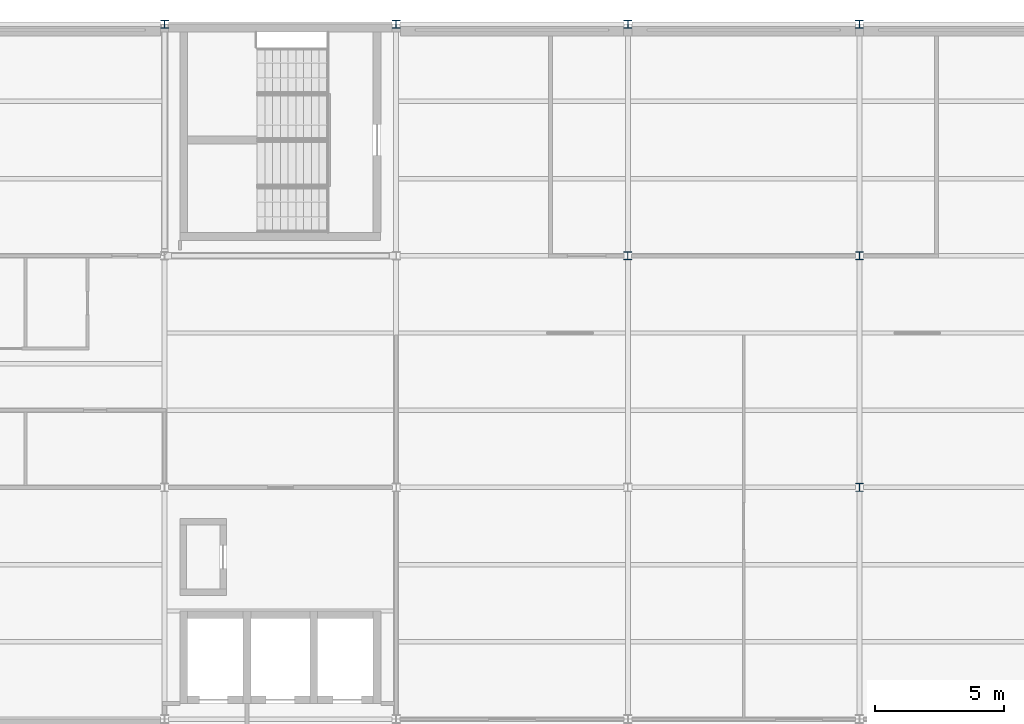
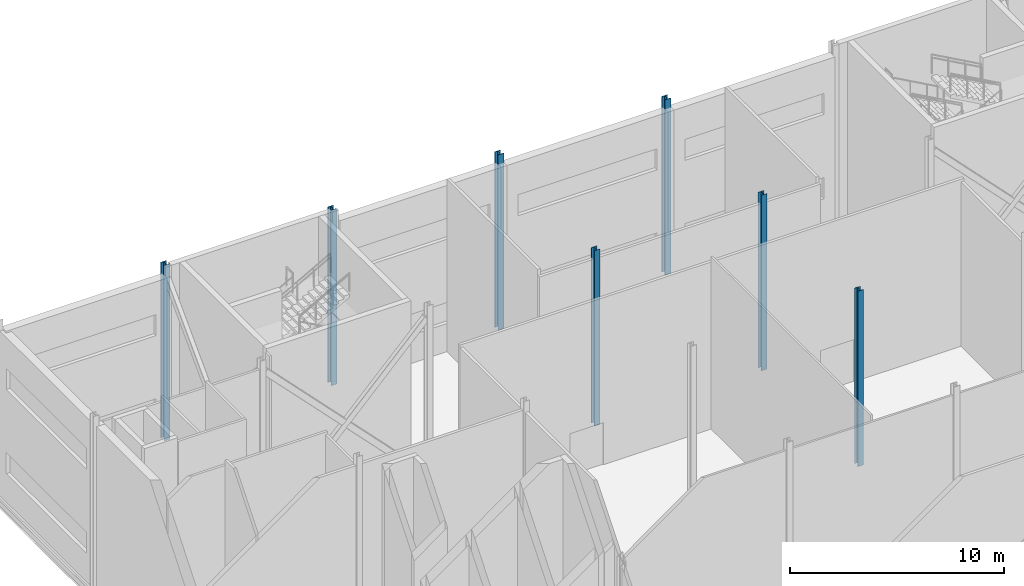
# One storey, part 7 of 111: 7 columns.
"""IFC4 building model written with IfcOpenShell, lengths in metres."""

from ifc_helpers import new_model, si_unit, direction, frame, origin, origin_2d, place, context, subcontext, project, spatial, i_section, extrude, material, material_profile, profile_set, type_object, element, save


model = new_model("IFC4")

# Units and contexts
model_context = context("Model", 3, precision=1e-05, world=origin(), true_north=direction((0.0, 1.0)))
body_context = subcontext(model_context, "Body", "Model", "MODEL_VIEW")
ifc_project = project(units=[si_unit("LENGTHUNIT", "METRE"), si_unit("AREAUNIT", "SQUARE_METRE"), si_unit("VOLUMEUNIT", "CUBIC_METRE"), si_unit("PLANEANGLEUNIT", "RADIAN"), si_unit("MASSUNIT", "GRAM", prefix="KILO")], contexts=[model_context])

# Site, building, storey
site_placement = place(None, origin())
site = spatial("IfcSite", under=ifc_project, at=site_placement, CompositionType="ELEMENT")
building_placement = place(site_placement, origin())
building = spatial("IfcBuilding", under=site, at=building_placement, Name="Shorebreak Coast Museum", CompositionType="ELEMENT")
storey_placement = place(building_placement, frame((0.0, 0.0, 16.0)))
storey = spatial("IfcBuildingStorey", under=building, at=storey_placement, Name="L03", CompositionType="ELEMENT", Elevation=16.0)

# Columns
ifc_material_1 = material(Name="Steel Grade 300", Category="steel")
ifc_material_profile_1 = material_profile(ifc_material_1, i_section(OverallWidth=0.31103515625, OverallDepth=0.3271484375, WebThickness=0.015625, FlangeThickness=0.02490234375, FilletRadius=0.0166015625, at=origin_2d()), Name="310UC158")
ifc_profile_set_1 = profile_set([ifc_material_profile_1], Name="Steel Grade 300")
column_type_1 = type_object("IfcColumnType", Name="Column 310UC158", PredefinedType="COLUMN", material=ifc_profile_set_1)
for number, where, z_axis, x_axis, name in (
    (1, (63.0, 117.0, 0.0), (0.0, 0.0, 1.0), (1.0, 0.0, 0.0), "Column L03 8P"),
    (2, (72.0, 117.0, 0.0), (0.0, 0.0, 1.0), (1.0, 0.0, 0.0), "Column L03 9P"),
    (3, (81.0, 117.0, 0.0), (0.0, 0.0, 1.0), (1.0, 0.0, 0.0), "Column L03 10P"),
    (4, (90.0, 117.0, 0.0), (0.0, 0.0, 1.0), (1.0, 0.0, 0.0), "Column L03 11P"),
):
    element("IfcColumn", number, at=place(storey_placement, frame(where, z_axis=z_axis, x_axis=x_axis)), inside=storey, type_object=column_type_1, Name=name, PredefinedType="COLUMN", context=body_context, shape_type="SweptSolid", body=[
        extrude(i_section(OverallWidth=0.31103515625, OverallDepth=0.3271484375, WebThickness=0.015625, FlangeThickness=0.02490234375, FilletRadius=0.0166015625, at=origin_2d()), origin(), (0.0, 0.0, 1.0), 10.0),
    ])
ifc_material_2 = material(Name="Steel Grade 300", Category="steel")
ifc_material_profile_2 = material_profile(ifc_material_2, i_section(OverallWidth=0.304931640625, OverallDepth=0.30810546875, WebThickness=0.010009765625, FlangeThickness=0.015380859375, FilletRadius=0.0166015625, at=origin_2d()), Name="310UC96.8")
ifc_profile_set_2 = profile_set([ifc_material_profile_2], Name="Steel Grade 300")
column_type_2 = type_object("IfcColumnType", Name="Column 310UC96.8", PredefinedType="COLUMN", material=ifc_profile_set_2)
for number, where, z_axis, x_axis, name in (
    (5, (90.0, 99.0, 0.0), (0.0, 0.0, 1.0), (1.0, 0.0, 0.0), "Column L03 11M"),
    (6, (81.0, 108.0, 0.0), (0.0, 0.0, 1.0), (1.0, 0.0, 0.0), "Column L03 10N"),
    (7, (90.0, 108.0, 0.0), (0.0, 0.0, 1.0), (1.0, 0.0, 0.0), "Column L03 11N"),
):
    element("IfcColumn", number, at=place(storey_placement, frame(where, z_axis=z_axis, x_axis=x_axis)), inside=storey, type_object=column_type_2, Name=name, PredefinedType="COLUMN", context=body_context, shape_type="SweptSolid", body=[
        extrude(i_section(OverallWidth=0.304931640625, OverallDepth=0.30810546875, WebThickness=0.010009765625, FlangeThickness=0.015380859375, FilletRadius=0.0166015625, at=origin_2d()), origin(), (0.0, 0.0, 1.0), 10.0),
    ])

save(model, "model.ifc")
